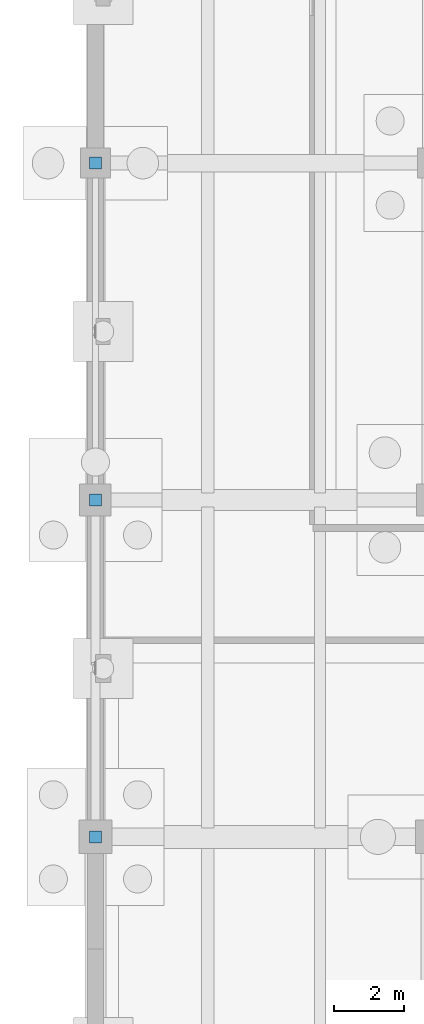
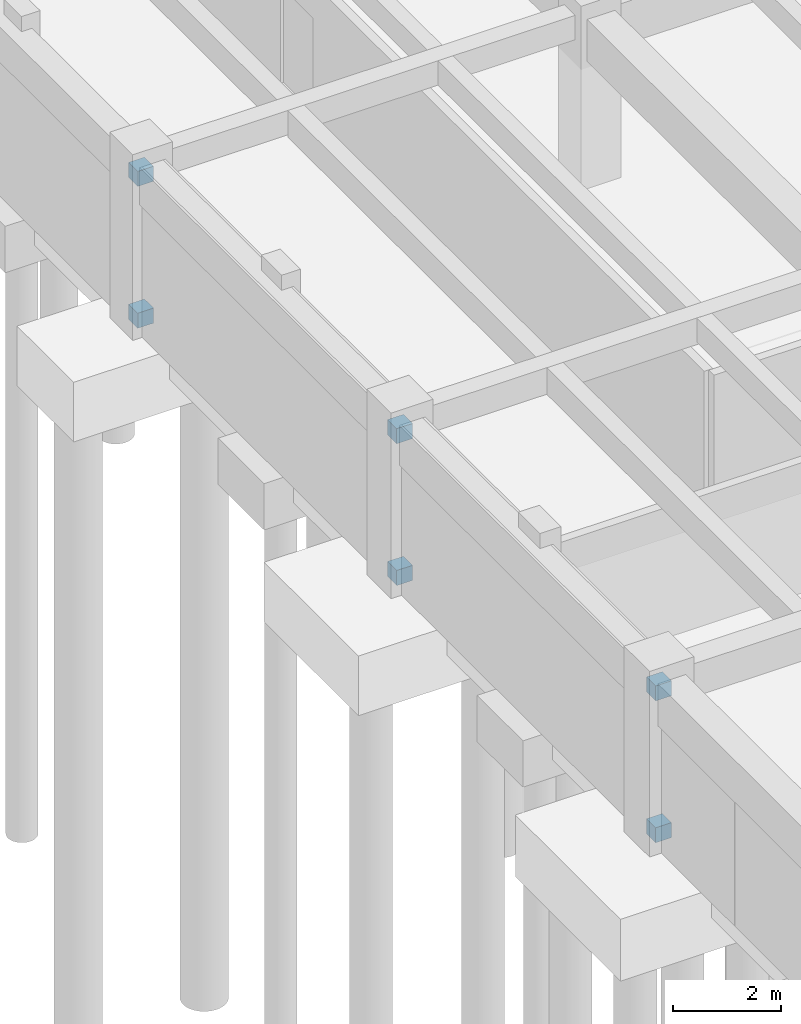
# One storey, part 30 of 41: 6 discrete accessories.
"""IFC4 building model written with IfcOpenShell, lengths in metres."""

from ifc_helpers import new_model, si_unit, direction, frame, origin, origin_2d, place, context, subcontext, project, spatial, rectangle, extrude, material, type_object, element, save


model = new_model("IFC4")

# Units and contexts
model_context = context("Model", 3, precision=1e-05, world=origin(), true_north=direction((0.0, 1.0)))
body_context = subcontext(model_context, "Body", "Model", "MODEL_VIEW")
ifc_project = project(units=[si_unit("LENGTHUNIT", "METRE"), si_unit("AREAUNIT", "SQUARE_METRE"), si_unit("VOLUMEUNIT", "CUBIC_METRE"), si_unit("PLANEANGLEUNIT", "RADIAN"), si_unit("MASSUNIT", "GRAM", prefix="KILO")], contexts=[model_context])

# Site, building, storey
site_placement = place(None, origin())
site = spatial("IfcSite", under=ifc_project, at=site_placement, CompositionType="ELEMENT")
building_placement = place(site_placement, origin())
building = spatial("IfcBuilding", under=site, at=building_placement, Name="Fikremerkos Civic Library", CompositionType="ELEMENT")
storey_placement = place(building_placement, frame((0.0, 0.0, -8.39990234375)))
storey = spatial("IfcBuildingStorey", under=building, at=storey_placement, Name="B02", CompositionType="ELEMENT", Elevation=-8.39990234375)

# Discrete accessories
ifc_material = material(Name="Steel S355", Category="steel")
discrete_accessory_type = type_object("IfcDiscreteAccessoryType", Name="Steel brace end connection bracket BRK-S1", PredefinedType="BRACKET", material=ifc_material)
for number, where, z_axis, x_axis, name in (
    (1, (0.0, 12.0, 0.02978515625), (0.0, 0.0, 1.0), (1.0, 0.0, 0.0), "Steel S355 brace end connection bracket #17"),
    (2, (0.0, 21.60009765625, 3.23974609375), (0.0, 0.0, 1.0), (1.0, 0.0, 0.0), "Steel S355 brace end connection bracket #18"),
    (3, (0.0, 21.60009765625, 0.02978515625), (0.0, 0.0, 1.0), (1.0, 0.0, 0.0), "Steel S355 brace end connection bracket #19"),
    (4, (0.0, 12.0, 3.23974609375), (0.0, 0.0, 1.0), (1.0, 0.0, 0.0), "Steel S355 brace end connection bracket #20"),
    (5, (0.0, 31.199951171875, 3.23974609375), (0.0, 0.0, 1.0), (1.0, 0.0, 0.0), "Steel S355 brace end connection bracket #21"),
    (6, (0.0, 31.199951171875, 0.02978515625), (0.0, 0.0, 1.0), (1.0, 0.0, 0.0), "Steel S355 brace end connection bracket #22"),
):
    element("IfcDiscreteAccessory", number, at=place(storey_placement, frame(where, z_axis=z_axis, x_axis=x_axis)), inside=storey, type_object=discrete_accessory_type, Name=name, PredefinedType="BRACKET", context=body_context, shape_type="SweptSolid", body=[
        extrude(rectangle(XDim=0.340087890625, YDim=0.340087890625, at=origin_2d()), origin(), (0.0, 0.0, 1.0), 0.340087890625),
    ])

save(model, "model.ifc")
